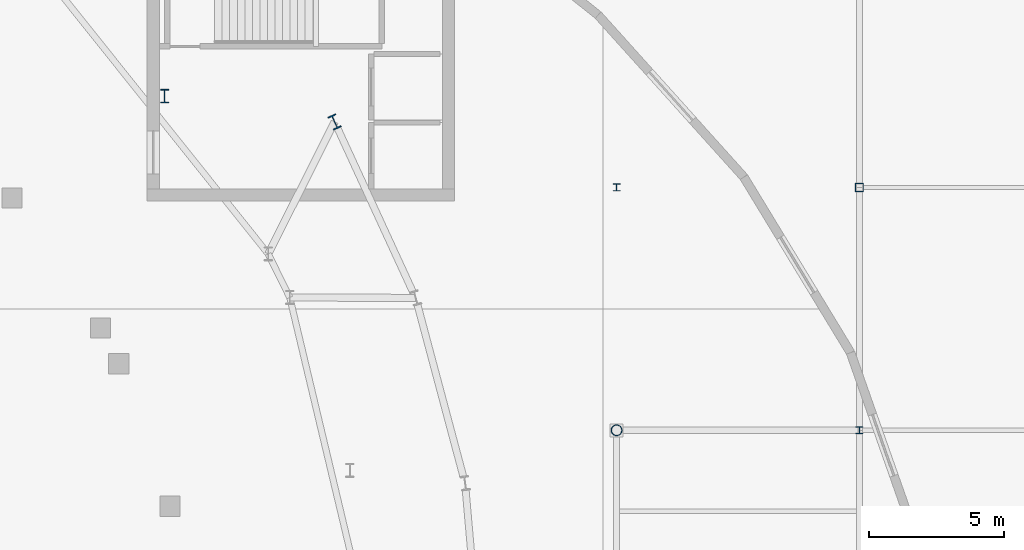
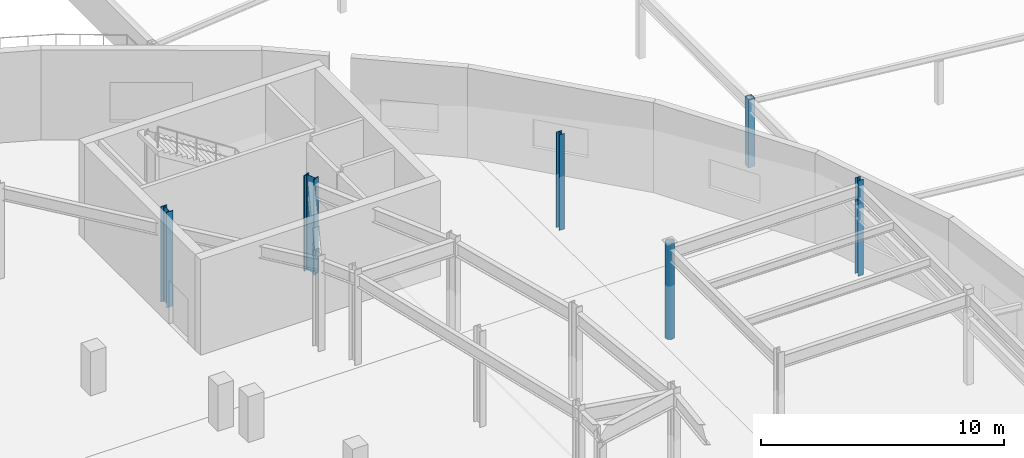
# One storey, part 18 of 84: 6 columns.
"""IFC4 building model written with IfcOpenShell, lengths in metres."""

import ifcopenshell
import ifcopenshell.guid

model = None  # the IFC model being written
_history = None  # IfcOwnerHistory: only IFC2X3 demands one
_inside = {}  # id of a spatial element -> (the spatial element, [elements in it])
_under = {}  # id of a project, library or spatial element -> (it, [spatial elements below it])
_declared = {}  # id of a project -> (the project, [libraries it declares])
_typed = {}  # id of a type object -> (the type object, [elements of that type])
_made_of = {}  # id of a material, layer set ... -> (it, [elements and type objects made of it])


def new_model(schema):
    """Start an empty IFC model of exactly this schema.

    Asked for "IFC4X3", IfcOpenShell would pick the latest addendum, in which some entities
    have other attributes; the version numbers below select the first issue.
    IFC2X3 requires an IfcOwnerHistory on every rooted entity: one is made here for all.
    """
    global model, _history
    if schema == "IFC4X3":
        model = ifcopenshell.file(schema_version=(4, 3, 0, 0))
    else:
        model = ifcopenshell.file(schema=schema)
    _inside.clear()
    _under.clear()
    _declared.clear()
    _typed.clear()
    _made_of.clear()
    _history = None
    if model.schema == "IFC2X3":
        org = make("IfcOrganization", Name="unknown")
        user = make(
            "IfcPersonAndOrganization",
            ThePerson=make("IfcPerson", FamilyName="unknown"),
            TheOrganization=org,
        )
        app = make(
            "IfcApplication",
            ApplicationDeveloper=org,
            Version="unknown",
            ApplicationFullName="unknown",
            ApplicationIdentifier="unknown",
        )
        _history = make(
            "IfcOwnerHistory",
            OwningUser=user,
            OwningApplication=app,
            ChangeAction="ADDED",
            CreationDate=0,
        )
    return model


def make(cls, **values):
    """One entity of the class cls with the attributes given. An attribute that is None is left unset."""
    return model.create_entity(
        cls, **{name: value for name, value in values.items() if value is not None}
    )


def rooted(cls, **values):
    """An entity with a GlobalId (a new one), such as an element, a storey or a relation."""
    return make(cls, GlobalId=ifcopenshell.guid.new(), OwnerHistory=_history, **values)


def si_unit(unit_type, name, prefix=None):
    """IfcSIUnit, for example si_unit("LENGTHUNIT", "METRE", prefix="MILLI")."""
    return make("IfcSIUnit", UnitType=unit_type, Prefix=prefix, Name=name)


def assignment(units):
    """IfcUnitAssignment: the units of a project."""
    return None if units is None else make("IfcUnitAssignment", Units=units)


def point(xyz):
    """IfcCartesianPoint."""
    return None if xyz is None else make("IfcCartesianPoint", Coordinates=xyz)


def direction(xyz):
    """IfcDirection."""
    return None if xyz is None else make("IfcDirection", DirectionRatios=xyz)


def frame(location, z_axis=None, x_axis=None):
    """IfcAxis2Placement3D, a coordinate frame: its origin and axes. An axis left out is left unset."""
    return make(
        "IfcAxis2Placement3D",
        Location=point(location),
        Axis=direction(z_axis),
        RefDirection=direction(x_axis),
    )


def frame_2d(location, x_axis=None):
    """IfcAxis2Placement2D, a coordinate frame in the plane: its origin and x axis."""
    return make(
        "IfcAxis2Placement2D", Location=point(location), RefDirection=direction(x_axis)
    )


def origin():
    """The frame at (0, 0, 0) with its axes left unset."""
    return frame((0.0, 0.0, 0.0))


def origin_2d():
    """The frame at (0, 0) in the plane with its x axis left unset."""
    return frame_2d((0.0, 0.0))


def place(relative_to, where):
    """IfcLocalPlacement: puts the frame where relative to a parent placement (None: the world)."""
    return make(
        "IfcLocalPlacement", PlacementRelTo=relative_to, RelativePlacement=where
    )


def context(
    kind, dimensions, precision=None, world=None, true_north=None, identifier=None
):
    """IfcGeometricRepresentationContext, for example the 3D "Model" context."""
    return make(
        "IfcGeometricRepresentationContext",
        ContextIdentifier=identifier,
        ContextType=kind,
        CoordinateSpaceDimension=dimensions,
        Precision=precision,
        WorldCoordinateSystem=world,
        TrueNorth=true_north,
    )


def subcontext(parent, identifier, kind, view, scale=None):
    """IfcGeometricRepresentationSubContext, for example "Body" below "Model"."""
    return make(
        "IfcGeometricRepresentationSubContext",
        ContextIdentifier=identifier,
        ContextType=kind,
        ParentContext=parent,
        TargetScale=scale,
        TargetView=view,
    )


def project(units=None, contexts=None):
    """IfcProject with its units and contexts."""
    return rooted(
        "IfcProject",
        Name="project",
        RepresentationContexts=contexts,
        UnitsInContext=assignment(units),
    )


def spatial(cls, under=None, at=None, **own):
    """A site, building, storey or space (cls), placed at a placement, below another one or the project."""
    s = rooted(cls, ObjectPlacement=at, **own)
    if under is not None:
        _under.setdefault(under.id(), (under, []))[1].append(s)
    return s


def profile(cls, at=None, kind="AREA", **sizes):
    """A parametric profile (cls). Its sizes go by their IFC names, for example OverallWidth=200.0."""
    return make(cls, ProfileType=kind, Position=at, **sizes)


def hollow_rectangle(**sizes):
    """IfcRectangleHollowProfileDef."""
    return profile("IfcRectangleHollowProfileDef", **sizes)


def hollow_circle(**sizes):
    """IfcCircleHollowProfileDef."""
    return profile("IfcCircleHollowProfileDef", **sizes)


def i_section(**sizes):
    """IfcIShapeProfileDef."""
    return profile("IfcIShapeProfileDef", **sizes)


def extrude(swept, where, along, depth):
    """IfcExtrudedAreaSolid: the profile swept, set in the frame where, extruded along a direction by depth."""
    return make(
        "IfcExtrudedAreaSolid",
        SweptArea=swept,
        Position=where,
        ExtrudedDirection=direction(along),
        Depth=depth,
    )


def shape(context_of_items, identifier, shape_type, items):
    """IfcShapeRepresentation: the items that make up one representation, for example the "Body"."""
    return make(
        "IfcShapeRepresentation",
        ContextOfItems=context_of_items,
        RepresentationIdentifier=identifier,
        RepresentationType=shape_type,
        Items=items,
    )


def material(Name=None, Category=None):
    """IfcMaterial."""
    return make("IfcMaterial", Name=Name, Category=Category)


def material_profile(
    of_material, cross_section, Name=None, Category=None, Priority=None
):
    """IfcMaterialProfile: a cross section and its material."""
    return make(
        "IfcMaterialProfile",
        Name=Name,
        Material=of_material,
        Profile=cross_section,
        Priority=Priority,
        Category=Category,
    )


def profile_set(profiles, Name=None, composite=None):
    """IfcMaterialProfileSet."""
    return make(
        "IfcMaterialProfileSet",
        Name=Name,
        MaterialProfiles=profiles,
        CompositeProfile=composite,
    )


def made_of(thing, what):
    """Note that an element or type object is made of a material, layer set ...; save() writes the relation."""
    if what is not None:
        _made_of.setdefault(what.id(), (what, []))[1].append(thing)
    return thing


def type_object(cls, material=None, **own):
    """A type object (cls), such as IfcWallType, which elements share."""
    return made_of(rooted(cls, **own), material)


def element(
    cls,
    number,
    at=None,
    inside=None,
    cuts=None,
    type_object=None,
    material=None,
    context=None,
    identifier="Body",
    shape_type=None,
    held_by="IfcProductDefinitionShape",
    body=None,
    shapes=None,
    **own,
):
    """One element of the class cls, such as IfcWall. Its Tag is "e" and its number.

    at: its placement. inside: the storey or other place that contains it. cuts: it is an
    opening in that element (IfcRelVoidsElement). A single representation is given by context,
    identifier, shape_type and body (its items); several are given by shapes. held_by: the class
    of the entity that holds the representations. save() writes the other relations.
    """
    e = rooted(cls, Tag="e%d" % number, ObjectPlacement=at, **own)
    if body is not None:
        shapes = [shape(context, identifier, shape_type, body)]
    if shapes is not None:
        e.Representation = make(held_by, Representations=shapes)
    if inside is not None:
        _inside.setdefault(inside.id(), (inside, []))[1].append(e)
    if cuts is not None:
        rooted(
            "IfcRelVoidsElement", RelatingBuildingElement=cuts, RelatedOpeningElement=e
        )
    if type_object is not None:
        _typed.setdefault(type_object.id(), (type_object, []))[1].append(e)
    return made_of(e, material)


def aggregate(whole, parts):
    """IfcRelAggregates: a whole, such as a stair, and the parts it consists of."""
    return rooted("IfcRelAggregates", RelatingObject=whole, RelatedObjects=parts)


def save(model, path):
    """Write the relations noted so far, then the file.

    IfcRelAggregates (storeys below a building ...), IfcRelContainedInSpatialStructure (elements
    in a storey), IfcRelDefinesByType, IfcRelAssociatesMaterial and IfcRelDeclares: one each for
    every whole, place, type object, material and project.
    """
    for whole, parts in _under.values():
        aggregate(whole, parts)
    for where, things in _inside.values():
        rooted(
            "IfcRelContainedInSpatialStructure",
            RelatedElements=things,
            RelatingStructure=where,
        )
    for kind, things in _typed.values():
        rooted("IfcRelDefinesByType", RelatedObjects=things, RelatingType=kind)
    for what, things in _made_of.values():
        rooted("IfcRelAssociatesMaterial", RelatedObjects=things, RelatingMaterial=what)
    for by, libraries in _declared.values():
        rooted("IfcRelDeclares", RelatingContext=by, RelatedDefinitions=libraries)
    model.write(path)


model = new_model("IFC4")

# Units and contexts
model_context = context("Model", 3, precision=1e-05, world=origin(), true_north=direction((0.0, 1.0)))
body_context = subcontext(model_context, "Body", "Model", "MODEL_VIEW")
ifc_project = project(units=[si_unit("LENGTHUNIT", "METRE"), si_unit("AREAUNIT", "SQUARE_METRE"), si_unit("VOLUMEUNIT", "CUBIC_METRE"), si_unit("PLANEANGLEUNIT", "RADIAN"), si_unit("MASSUNIT", "GRAM", prefix="KILO")], contexts=[model_context])

# Site, building, storey
site_placement = place(None, origin())
site = spatial("IfcSite", under=ifc_project, at=site_placement, CompositionType="ELEMENT")
building_placement = place(site_placement, origin())
building = spatial("IfcBuilding", under=site, at=building_placement, Name="Glasvene Arena", CompositionType="ELEMENT")
storey_placement = place(building_placement, frame((0.0, 0.0, 10.199951171875)))
storey = spatial("IfcBuildingStorey", under=building, at=storey_placement, Name="L02", CompositionType="ELEMENT", Elevation=10.199951171875)

# Columns
ifc_material = material(Name="Steel S355J2", Category="steel")
ifc_material_profile_1 = material_profile(ifc_material, i_section(OverallWidth=0.305908203125, OverallDepth=0.52392578125, WebThickness=0.02099609375, FlangeThickness=0.0400390625, FilletRadius=0.027099609375, at=origin_2d()), Name="HEM 500")
ifc_profile_set_1 = profile_set([ifc_material_profile_1], Name="Steel S355J2")
column_type_1 = type_object("IfcColumnType", Name="COL-RING-HEM500", PredefinedType="COLUMN", material=ifc_profile_set_1)
column_1_placement = place(storey_placement, frame((136.55029296875, 93.4296875, 0.0), z_axis=(0.0, 0.0, 1.0), x_axis=(0.909018020308, 0.416756810089, 0.0)))
element("IfcColumn", 1, at=column_1_placement, inside=storey, type_object=column_type_1, Name="Bowl ring column R04 L02", PredefinedType="COLUMN", context=body_context, shape_type="SweptSolid", body=[
    extrude(i_section(OverallWidth=0.305908203125, OverallDepth=0.52392578125, WebThickness=0.02099609375, FlangeThickness=0.0400390625, FilletRadius=0.027099609375, at=origin_2d()), origin(), (0.0, 0.0, 1.0), 4.800048828125),
])
ifc_material_profile_2 = material_profile(ifc_material, hollow_circle(Radius=0.203125, WallThickness=0.01611328125, at=origin_2d()), Name="CHS 406.4x16.0")
ifc_profile_set_2 = profile_set([ifc_material_profile_2], Name="Steel S355J2")
column_type_2 = type_object("IfcColumnType", Name="COL-W-CHS406", PredefinedType="COLUMN", material=ifc_profile_set_2)
column_2_placement = place(storey_placement, frame((147.0, 82.0, 0.0), z_axis=(0.0, 0.0, 1.0), x_axis=(1.0, 0.0, 0.0)))
element("IfcColumn", 2, at=column_2_placement, inside=storey, type_object=column_type_2, Name="Grid column 17-10 L02", PredefinedType="COLUMN", context=body_context, shape_type="SweptSolid", body=[
    extrude(hollow_circle(Radius=0.203125, WallThickness=0.01611328125, at=origin_2d()), origin(), (0.0, 0.0, 1.0), 4.800048828125),
])
ifc_material_profile_3 = material_profile(ifc_material, i_section(OverallWidth=0.300048828125, OverallDepth=0.5, WebThickness=0.014404296875, FlangeThickness=0.028076171875, FilletRadius=0.027099609375, at=origin_2d()), Name="HEB 500")
ifc_profile_set_3 = profile_set([ifc_material_profile_3], Name="Steel S355J2")
column_type_3 = type_object("IfcColumnType", Name="COL-W-HEB500", PredefinedType="COLUMN", material=ifc_profile_set_3)
column_3_placement = place(storey_placement, frame((130.24755859375, 94.389404296875, 0.0), z_axis=(0.0, 0.0, 1.0), x_axis=(1.0, 0.0, 0.0)))
element("IfcColumn", 3, at=column_3_placement, inside=storey, type_object=column_type_3, Name="Mid-sector rear raker column L02 02", PredefinedType="COLUMN", context=body_context, shape_type="SweptSolid", body=[
    extrude(i_section(OverallWidth=0.300048828125, OverallDepth=0.5, WebThickness=0.014404296875, FlangeThickness=0.028076171875, FilletRadius=0.027099609375, at=origin_2d()), origin(), (0.0, 0.0, 1.0), 4.800048828125),
])
ifc_material_profile_4 = material_profile(ifc_material, hollow_rectangle(XDim=0.300048828125, YDim=0.300048828125, WallThickness=0.012451171875, at=origin_2d()), Name="SHS 300x300x12.5")
ifc_profile_set_4 = profile_set([ifc_material_profile_4], Name="Steel S355J2")
column_type_4 = type_object("IfcColumnType", Name="COL-W-SHS300", PredefinedType="COLUMN", material=ifc_profile_set_4)
column_4_placement = place(storey_placement, frame((156.0, 91.0, 0.0), z_axis=(0.0, 0.0, 1.0), x_axis=(1.0, 0.0, 0.0)))
element("IfcColumn", 4, at=column_4_placement, inside=storey, type_object=column_type_4, Name="Wing roof ridge post V5-10", PredefinedType="COLUMN", context=body_context, shape_type="SweptSolid", body=[
    extrude(hollow_rectangle(XDim=0.300048828125, YDim=0.300048828125, WallThickness=0.012451171875, at=origin_2d()), origin(), (0.0, 0.0, 1.0), 3.43994140625),
])
ifc_material_profile_5 = material_profile(ifc_material, i_section(OverallWidth=0.25634765625, OverallDepth=0.26025390625, WebThickness=0.01025390625, FlangeThickness=0.017333984375, FilletRadius=0.0126953125, at=origin_2d()), Name="UKC 254x254x89")
ifc_profile_set_5 = profile_set([ifc_material_profile_5], Name="Steel S355J2")
column_type_5 = type_object("IfcColumnType", Name="COL-W-UKC89", PredefinedType="COLUMN", material=ifc_profile_set_5)
for number, where, z_axis, x_axis, name in (
    (5, (147.0, 91.0, 0.0), (0.0, 0.0, 1.0), (1.0, 0.0, 0.0), "Grid column 17-11 L02"),
    (6, (156.0, 82.0, 0.0), (0.0, 0.0, 1.0), (1.0, 0.0, 0.0), "Grid column 18-10 L02"),
):
    element("IfcColumn", number, at=place(storey_placement, frame(where, z_axis=z_axis, x_axis=x_axis)), inside=storey, type_object=column_type_5, Name=name, PredefinedType="COLUMN", context=body_context, shape_type="SweptSolid", body=[
        extrude(i_section(OverallWidth=0.25634765625, OverallDepth=0.26025390625, WebThickness=0.01025390625, FlangeThickness=0.017333984375, FilletRadius=0.0126953125, at=origin_2d()), origin(), (0.0, 0.0, 1.0), 4.800048828125),
    ])

save(model, "model.ifc")
